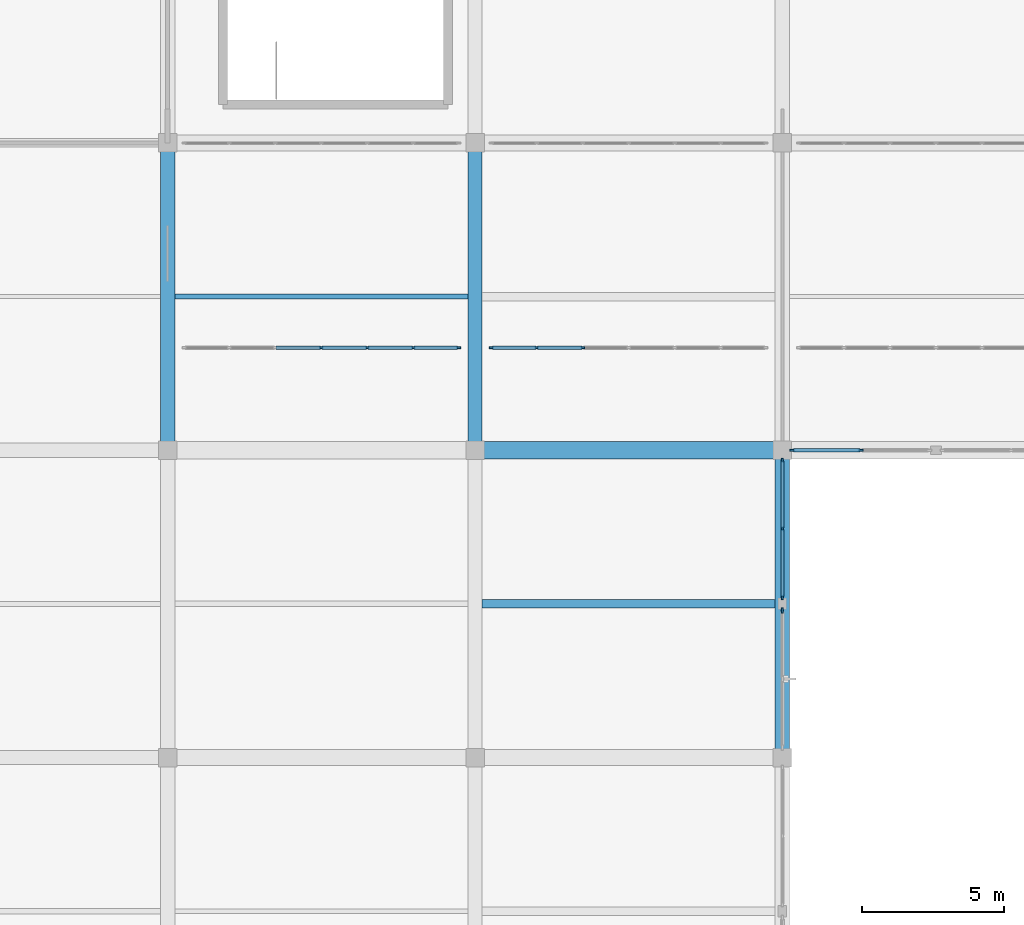
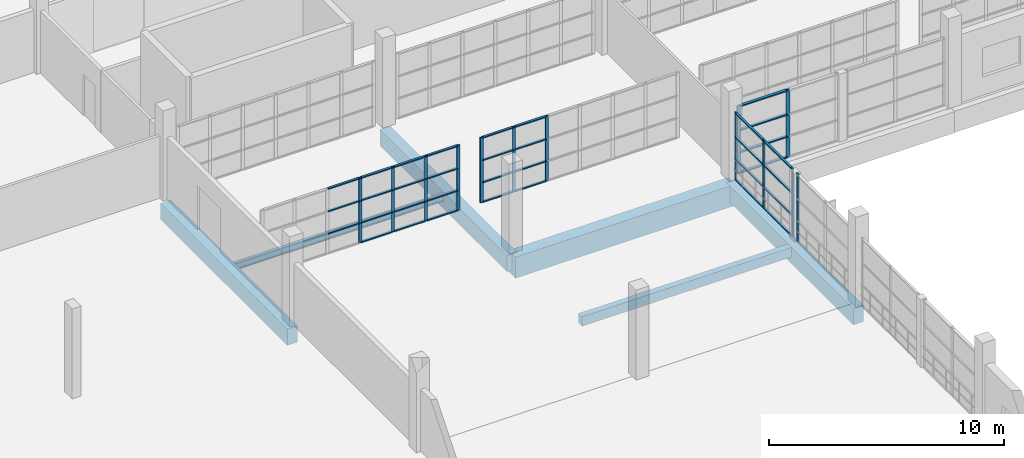
# One storey, part 41 of 142: 48 members, 6 beams, 5 elements without a shape of their own.
"""IFC4 building model written with IfcOpenShell, lengths in metres."""

from ifc_helpers import new_model, si_unit, direction, frame, origin, origin_2d, place, context, subcontext, project, spatial, rectangle, i_section, extrude, material, material_profile, profile_set, type_object, element, aggregate, save


model = new_model("IFC4")

# Units and contexts
model_context = context("Model", 3, precision=1e-05, world=origin(), true_north=direction((0.0, 1.0)))
body_context = subcontext(model_context, "Body", "Model", "MODEL_VIEW")
ifc_project = project(units=[si_unit("LENGTHUNIT", "METRE"), si_unit("AREAUNIT", "SQUARE_METRE"), si_unit("VOLUMEUNIT", "CUBIC_METRE"), si_unit("PLANEANGLEUNIT", "RADIAN"), si_unit("MASSUNIT", "GRAM", prefix="KILO")], contexts=[model_context])

# Site, building, storey
site_placement = place(None, origin())
site = spatial("IfcSite", under=ifc_project, at=site_placement, CompositionType="ELEMENT")
building_placement = place(site_placement, origin())
building = spatial("IfcBuilding", under=site, at=building_placement, Name="Zwinboog Wholesale Market", CompositionType="ELEMENT")
storey_placement = place(building_placement, frame((0.0, 0.0, 5.39990234375)))
storey = spatial("IfcBuildingStorey", under=building, at=storey_placement, Name="L01", CompositionType="ELEMENT", Elevation=5.39990234375)

# Beams
ifc_material_1 = material(Name="Precast concrete C45/55", Category="concrete")
ifc_material_profile_1 = material_profile(ifc_material_1, rectangle(XDim=0.60009765625, YDim=1.10009765625, at=origin_2d()), Name="PC 600x1100")
ifc_profile_set_1 = profile_set([ifc_material_profile_1], Name="Precast concrete C45/55")
beam_type_1 = type_object("IfcBeamType", Name="BT-01", PredefinedType="BEAM", material=ifc_profile_set_1)
beam_1_placement = place(storey_placement, frame((75.60009765625, 86.39990234375, -0.829833984375), z_axis=(1.0, 0.0, 0.0), x_axis=(0.0, 1.0, 0.0)))
element("IfcBeam", 1, at=beam_1_placement, inside=storey, type_object=beam_type_1, Name="BG-01 (BMG-L01-0756-0864-0516)", PredefinedType="BEAM", context=body_context, shape_type="SweptSolid", body=[
    extrude(rectangle(XDim=0.60009765625, YDim=1.10009765625, at=origin_2d()), origin(), (0.0, 0.0, 1.0), 10.7998046875),
])
ifc_material_profile_2 = material_profile(ifc_material_1, rectangle(XDim=0.5, YDim=0.85009765625, at=origin_2d()), Name="PC 500x850")
ifc_profile_set_2 = profile_set([ifc_material_profile_2], Name="Precast concrete C45/55")
beam_type_2 = type_object("IfcBeamType", Name="BT-03", PredefinedType="BEAM", material=ifc_profile_set_2)
for number, where, z_axis, x_axis, name in (
    (2, (64.800048828125, 86.39990234375, -0.7568359375), (0.0, 1.0, 0.0), (-1.0, 0.0, 0.0), "BG-03 (BMG-L01-0648-0864-0669)"),
    (3, (75.60009765625, 86.39990234375, -0.704833984375), (0.0, 1.0, 0.0), (-1.0, 0.0, 0.0), "BG-03 (BMG-L01-0756-0864-0677)"),
):
    element("IfcBeam", number, at=place(storey_placement, frame(where, z_axis=z_axis, x_axis=x_axis)), inside=storey, type_object=beam_type_2, Name=name, PredefinedType="BEAM", context=body_context, shape_type="SweptSolid", body=[
        extrude(rectangle(XDim=0.5, YDim=0.85009765625, at=origin_2d()), origin(), (0.0, 0.0, 1.0), 10.800048828125),
    ])
beam_2_placement = place(storey_placement, frame((86.39990234375, 75.60009765625, -0.704833984375), z_axis=(0.0, 1.0, 0.0), x_axis=(-1.0, 0.0, 0.0)))
element("IfcBeam", 4, at=beam_2_placement, inside=storey, type_object=beam_type_2, Name="BG-03 (BMG-L01-0864-0756-0684)", PredefinedType="BEAM", context=body_context, shape_type="SweptSolid", body=[
    extrude(rectangle(XDim=0.5, YDim=0.85009765625, at=origin_2d()), origin(), (0.0, 0.0, 1.0), 10.7998046875),
])
ifc_material_profile_3 = material_profile(ifc_material_1, rectangle(XDim=0.300048828125, YDim=0.5, at=origin_2d()), Name="PC 300x500")
ifc_profile_set_3 = profile_set([ifc_material_profile_3], Name="Precast concrete C45/55")
beam_type_3 = type_object("IfcBeamType", Name="BT-10", PredefinedType="JOIST", material=ifc_profile_set_3)
beam_3_placement = place(storey_placement, frame((75.85009765625, 81.0, -0.52978515625), z_axis=(1.0, 0.0, 0.0), x_axis=(0.0, 1.0, 0.0)))
element("IfcBeam", 5, at=beam_3_placement, inside=storey, type_object=beam_type_3, Name="BJ-01 (BMG-L01-0758-0810-0825)", PredefinedType="JOIST", context=body_context, shape_type="SweptSolid", body=[
    extrude(rectangle(XDim=0.300048828125, YDim=0.5, at=origin_2d()), origin(), (0.0, 0.0, 1.0), 10.2998046875),
])
ifc_material_2 = material(Name="Steel S355", Category="steel")
ifc_material_profile_4 = material_profile(ifc_material_2, i_section(OverallWidth=0.169921875, OverallDepth=0.360107421875, WebThickness=0.008056640625, FlangeThickness=0.0126953125, FilletRadius=0.01806640625, at=origin_2d()), Name="IPE 360")
ifc_profile_set_4 = profile_set([ifc_material_profile_4], Name="Steel S355")
beam_type_4 = type_object("IfcBeamType", Name="BT-20", PredefinedType="JOIST", material=ifc_profile_set_4)
beam_4_placement = place(storey_placement, frame((65.050048828125, 91.800048828125, -0.511962890625), z_axis=(1.0, 0.0, 0.0), x_axis=(0.0, 1.0, 0.0)))
element("IfcBeam", 6, at=beam_4_placement, inside=storey, type_object=beam_type_4, Name="SJ-03 (BMG-L01-0650-0918-0823)", PredefinedType="JOIST", context=body_context, shape_type="SweptSolid", body=[
    extrude(i_section(OverallWidth=0.169921875, OverallDepth=0.360107421875, WebThickness=0.008056640625, FlangeThickness=0.0126953125, FilletRadius=0.01806640625, at=origin_2d()), origin(), (0.0, 0.0, 1.0), 10.300048828125),
])

# Curtain wall, member
ifc_material_3 = material(Name="Aluminium thermally broken curtain wall", Category="aluminium")
curtain_wall_type_1 = type_object("IfcCurtainWallType", Name="CWT-HALL-24", PredefinedType="USERDEFINED", material=ifc_material_3)
curtain_wall_1_placement = place(storey_placement, origin())
curtain_wall_1 = element("IfcCurtainWall", 7, at=curtain_wall_1_placement, inside=storey, type_object=curtain_wall_type_1, Name="CW-03 (CW-L01-093)", ObjectType="UNITIZED_CURTAIN_WALL", PredefinedType="USERDEFINED")
ifc_material_4 = material(Name="Aluminium EN AW-6060", Category="aluminium")
ifc_material_profile_5 = material_profile(ifc_material_4, rectangle(XDim=0.06494140625, YDim=0.179931640625, at=origin_2d()), Name="AL 65x180")
ifc_profile_set_5 = profile_set([ifc_material_profile_5], Name="Aluminium EN AW-6060")
member_type_1 = type_object("IfcMemberType", Name="CWM-65x180", PredefinedType="MULLION", material=ifc_profile_set_5)
member_1_placement = place(storey_placement, frame((86.39990234375, 80.767578125, 0.0), z_axis=(0.0, 0.0, 1.0), x_axis=(-1.0, 0.0, 0.0)))
member_1 = element("IfcMember", 8, at=member_1_placement, type_object=member_type_1, Name="CW-03 mullion 3", PredefinedType="MULLION", context=body_context, shape_type="SweptSolid", body=[
    extrude(rectangle(XDim=0.06494140625, YDim=0.179931640625, at=origin_2d()), origin(), (0.0, 0.0, 1.0), 3.530029296875),
])
aggregate(curtain_wall_1, [member_1])

# Curtain wall, members
curtain_wall_type_2 = type_object("IfcCurtainWallType", Name="CWT-STALL-18", PredefinedType="USERDEFINED", material=ifc_material_3)
curtain_wall_2_placement = place(storey_placement, origin())
curtain_wall_2 = element("IfcCurtainWall", 9, at=curtain_wall_2_placement, inside=storey, type_object=curtain_wall_type_2, Name="CW-01 (CW-L01-097)", ObjectType="STOREFRONT_GLAZING", PredefinedType="USERDEFINED")
member_2_placement = place(storey_placement, frame((86.75244140625, 86.39990234375, 0.0), z_axis=(0.0, 0.0, 1.0), x_axis=(0.0, 1.0, 0.0)))
member_2 = element("IfcMember", 10, at=member_2_placement, type_object=member_type_1, Name="CW-01 mullion 1", PredefinedType="MULLION", context=body_context, shape_type="SweptSolid", body=[
    extrude(rectangle(XDim=0.06494140625, YDim=0.179931640625, at=origin_2d()), origin(), (0.0, 0.0, 1.0), 3.530029296875),
])
member_3_placement = place(storey_placement, frame((89.159912109375, 86.39990234375, 0.0), z_axis=(0.0, 0.0, 1.0), x_axis=(0.0, 1.0, 0.0)))
member_3 = element("IfcMember", 11, at=member_3_placement, type_object=member_type_1, Name="CW-01 mullion 2", PredefinedType="MULLION", context=body_context, shape_type="SweptSolid", body=[
    extrude(rectangle(XDim=0.06494140625, YDim=0.179931640625, at=origin_2d()), origin(), (0.0, 0.0, 1.0), 3.530029296875),
])

curtain_wall_type_3 = type_object("IfcCurtainWallType", Name="CWT-GAL-16", PredefinedType="USERDEFINED", material=ifc_material_3)
curtain_wall_3_placement = place(storey_placement, origin())
curtain_wall_3 = element("IfcCurtainWall", 12, at=curtain_wall_3_placement, inside=storey, type_object=curtain_wall_type_3, Name="CW-04 (CW-L01-094)", ObjectType="UNITIZED_CURTAIN_WALL", PredefinedType="USERDEFINED")
ifc_material_profile_6 = material_profile(ifc_material_4, rectangle(XDim=0.06005859375, YDim=0.14990234375, at=origin_2d()), Name="AL 60x150")
ifc_profile_set_6 = profile_set([ifc_material_profile_6], Name="Aluminium EN AW-6060")
member_type_2 = type_object("IfcMemberType", Name="CWM-60x150", PredefinedType="MULLION", material=ifc_profile_set_6)
member_4_placement = place(storey_placement, frame((86.39990234375, 81.22998046875, 0.0), z_axis=(0.0, 0.0, 1.0), x_axis=(-1.0, 0.0, 0.0)))
member_4 = element("IfcMember", 13, at=member_4_placement, type_object=member_type_2, Name="CW-04 mullion 1", PredefinedType="MULLION", context=body_context, shape_type="SweptSolid", body=[
    extrude(rectangle(XDim=0.06005859375, YDim=0.14990234375, at=origin_2d()), origin(), (0.0, 0.0, 1.0), 3.530029296875),
])
member_5_placement = place(storey_placement, frame((86.39990234375, 83.639892578125, 0.0), z_axis=(0.0, 0.0, 1.0), x_axis=(-1.0, 0.0, 0.0)))
member_5 = element("IfcMember", 14, at=member_5_placement, type_object=member_type_2, Name="CW-04 mullion 2", PredefinedType="MULLION", context=body_context, shape_type="SweptSolid", body=[
    extrude(rectangle(XDim=0.06005859375, YDim=0.14990234375, at=origin_2d()), origin(), (0.0, 0.0, 1.0), 3.530029296875),
])
member_6_placement = place(storey_placement, frame((86.39990234375, 86.050048828125, 0.0), z_axis=(0.0, 0.0, 1.0), x_axis=(-1.0, 0.0, 0.0)))
member_6 = element("IfcMember", 15, at=member_6_placement, type_object=member_type_2, Name="CW-04 mullion 3", PredefinedType="MULLION", context=body_context, shape_type="SweptSolid", body=[
    extrude(rectangle(XDim=0.06005859375, YDim=0.14990234375, at=origin_2d()), origin(), (0.0, 0.0, 1.0), 3.530029296875),
])

# Member
ifc_material_profile_7 = material_profile(ifc_material_4, rectangle(XDim=0.139892578125, YDim=0.06494140625, at=origin_2d()), Name="AL 65x140")
ifc_profile_set_7 = profile_set([ifc_material_profile_7], Name="Aluminium EN AW-6060")
member_type_3 = type_object("IfcMemberType", Name="CWT-65x140", PredefinedType="USERDEFINED", material=ifc_profile_set_7)
member_7_placement = place(storey_placement, frame((86.784912109375, 86.39990234375, 0.03271484375), z_axis=(1.0, 0.0, 0.0), x_axis=(0.0, 1.0, 0.0)))
member_7 = element("IfcMember", 16, at=member_7_placement, type_object=member_type_3, Name="CW-01 transom 1.1", ObjectType="TRANSOM", PredefinedType="USERDEFINED", context=body_context, shape_type="SweptSolid", body=[
    extrude(rectangle(XDim=0.139892578125, YDim=0.06494140625, at=origin_2d()), origin(), (0.0, 0.0, 1.0), 2.342529296875),
])

member_8_placement = place(storey_placement, frame((86.784912109375, 86.39990234375, 1.10009765625), z_axis=(1.0, 0.0, 0.0), x_axis=(0.0, 1.0, 0.0)))
member_8 = element("IfcMember", 17, at=member_8_placement, type_object=member_type_3, Name="CW-01 transom 1.2", ObjectType="TRANSOM", PredefinedType="USERDEFINED", context=body_context, shape_type="SweptSolid", body=[
    extrude(rectangle(XDim=0.139892578125, YDim=0.06494140625, at=origin_2d()), origin(), (0.0, 0.0, 1.0), 2.342529296875),
])

member_9_placement = place(storey_placement, frame((86.784912109375, 86.39990234375, 2.25), z_axis=(1.0, 0.0, 0.0), x_axis=(0.0, 1.0, 0.0)))
member_9 = element("IfcMember", 18, at=member_9_placement, type_object=member_type_3, Name="CW-01 transom 1.3", ObjectType="TRANSOM", PredefinedType="USERDEFINED", context=body_context, shape_type="SweptSolid", body=[
    extrude(rectangle(XDim=0.139892578125, YDim=0.06494140625, at=origin_2d()), origin(), (0.0, 0.0, 1.0), 2.342529296875),
])

member_10_placement = place(storey_placement, frame((86.784912109375, 86.39990234375, 3.49755859375), z_axis=(1.0, 0.0, 0.0), x_axis=(0.0, 1.0, 0.0)))
member_10 = element("IfcMember", 19, at=member_10_placement, type_object=member_type_3, Name="CW-01 transom 1.4", ObjectType="TRANSOM", PredefinedType="USERDEFINED", context=body_context, shape_type="SweptSolid", body=[
    extrude(rectangle(XDim=0.139892578125, YDim=0.06494140625, at=origin_2d()), origin(), (0.0, 0.0, 1.0), 2.342529296875),
])

aggregate(curtain_wall_2, [member_2, member_3, member_7, member_8, member_9, member_10])

ifc_material_profile_8 = material_profile(ifc_material_4, rectangle(XDim=0.110107421875, YDim=0.06005859375, at=origin_2d()), Name="AL 60x110")
ifc_profile_set_8 = profile_set([ifc_material_profile_8], Name="Aluminium EN AW-6060")
member_type_4 = type_object("IfcMemberType", Name="CWT-60x110", PredefinedType="USERDEFINED", material=ifc_profile_set_8)
member_11_placement = place(storey_placement, frame((86.39990234375, 81.260009765625, 0.030029296875), z_axis=(0.0, 1.0, 0.0), x_axis=(-1.0, 0.0, 0.0)))
member_11 = element("IfcMember", 20, at=member_11_placement, type_object=member_type_4, Name="CW-04 transom 1.1", ObjectType="TRANSOM", PredefinedType="USERDEFINED", context=body_context, shape_type="SweptSolid", body=[
    extrude(rectangle(XDim=0.110107421875, YDim=0.06005859375, at=origin_2d()), origin(), (0.0, 0.0, 1.0), 2.35009765625),
])

member_12_placement = place(storey_placement, frame((86.39990234375, 81.260009765625, 1.10009765625), z_axis=(0.0, 1.0, 0.0), x_axis=(-1.0, 0.0, 0.0)))
member_12 = element("IfcMember", 21, at=member_12_placement, type_object=member_type_4, Name="CW-04 transom 1.2", ObjectType="TRANSOM", PredefinedType="USERDEFINED", context=body_context, shape_type="SweptSolid", body=[
    extrude(rectangle(XDim=0.110107421875, YDim=0.06005859375, at=origin_2d()), origin(), (0.0, 0.0, 1.0), 2.35009765625),
])

member_13_placement = place(storey_placement, frame((86.39990234375, 81.260009765625, 2.25), z_axis=(0.0, 1.0, 0.0), x_axis=(-1.0, 0.0, 0.0)))
member_13 = element("IfcMember", 22, at=member_13_placement, type_object=member_type_4, Name="CW-04 transom 1.3", ObjectType="TRANSOM", PredefinedType="USERDEFINED", context=body_context, shape_type="SweptSolid", body=[
    extrude(rectangle(XDim=0.110107421875, YDim=0.06005859375, at=origin_2d()), origin(), (0.0, 0.0, 1.0), 2.35009765625),
])

member_14_placement = place(storey_placement, frame((86.39990234375, 81.260009765625, 3.5), z_axis=(0.0, 1.0, 0.0), x_axis=(-1.0, 0.0, 0.0)))
member_14 = element("IfcMember", 23, at=member_14_placement, type_object=member_type_4, Name="CW-04 transom 1.4", ObjectType="TRANSOM", PredefinedType="USERDEFINED", context=body_context, shape_type="SweptSolid", body=[
    extrude(rectangle(XDim=0.110107421875, YDim=0.06005859375, at=origin_2d()), origin(), (0.0, 0.0, 1.0), 2.35009765625),
])

member_15_placement = place(storey_placement, frame((86.39990234375, 83.669921875, 0.030029296875), z_axis=(0.0, 1.0, 0.0), x_axis=(-1.0, 0.0, 0.0)))
member_15 = element("IfcMember", 24, at=member_15_placement, type_object=member_type_4, Name="CW-04 transom 2.1", ObjectType="TRANSOM", PredefinedType="USERDEFINED", context=body_context, shape_type="SweptSolid", body=[
    extrude(rectangle(XDim=0.110107421875, YDim=0.06005859375, at=origin_2d()), origin(), (0.0, 0.0, 1.0), 2.35009765625),
])

member_16_placement = place(storey_placement, frame((86.39990234375, 83.669921875, 1.10009765625), z_axis=(0.0, 1.0, 0.0), x_axis=(-1.0, 0.0, 0.0)))
member_16 = element("IfcMember", 25, at=member_16_placement, type_object=member_type_4, Name="CW-04 transom 2.2", ObjectType="TRANSOM", PredefinedType="USERDEFINED", context=body_context, shape_type="SweptSolid", body=[
    extrude(rectangle(XDim=0.110107421875, YDim=0.06005859375, at=origin_2d()), origin(), (0.0, 0.0, 1.0), 2.35009765625),
])

member_17_placement = place(storey_placement, frame((86.39990234375, 83.669921875, 2.25), z_axis=(0.0, 1.0, 0.0), x_axis=(-1.0, 0.0, 0.0)))
member_17 = element("IfcMember", 26, at=member_17_placement, type_object=member_type_4, Name="CW-04 transom 2.3", ObjectType="TRANSOM", PredefinedType="USERDEFINED", context=body_context, shape_type="SweptSolid", body=[
    extrude(rectangle(XDim=0.110107421875, YDim=0.06005859375, at=origin_2d()), origin(), (0.0, 0.0, 1.0), 2.35009765625),
])

member_18_placement = place(storey_placement, frame((86.39990234375, 83.669921875, 3.5), z_axis=(0.0, 1.0, 0.0), x_axis=(-1.0, 0.0, 0.0)))
member_18 = element("IfcMember", 27, at=member_18_placement, type_object=member_type_4, Name="CW-04 transom 2.4", ObjectType="TRANSOM", PredefinedType="USERDEFINED", context=body_context, shape_type="SweptSolid", body=[
    extrude(rectangle(XDim=0.110107421875, YDim=0.06005859375, at=origin_2d()), origin(), (0.0, 0.0, 1.0), 2.35009765625),
])

aggregate(curtain_wall_3, [member_4, member_5, member_6, member_11, member_12, member_13, member_14, member_15, member_16, member_17, member_18])

# Curtain wall, members
curtain_wall_type_4 = type_object("IfcCurtainWallType", Name="CWT-INT-STALL", PredefinedType="USERDEFINED", material=ifc_material_3)
curtain_wall_4_placement = place(storey_placement, origin())
curtain_wall_4 = element("IfcCurtainWall", 28, at=curtain_wall_4_placement, inside=storey, type_object=curtain_wall_type_4, Name="CW-07 (CW-STL-235)", ObjectType="STOREFRONT_GLAZING", PredefinedType="USERDEFINED")
ifc_material_profile_9 = material_profile(ifc_material_4, rectangle(XDim=0.06005859375, YDim=0.14990234375, at=origin_2d()), Name="AL 60x150")
ifc_profile_set_9 = profile_set([ifc_material_profile_9], Name="Aluminium EN AW-6060")
member_type_5 = type_object("IfcMemberType", Name="CWM-INT-60x120", PredefinedType="MULLION", material=ifc_profile_set_9)
member_19_placement = place(storey_placement, frame((70.199951171875, 90.0, 0.0), z_axis=(0.0, 0.0, 1.0), x_axis=(0.0, 1.0, 0.0)))
member_19 = element("IfcMember", 29, at=member_19_placement, type_object=member_type_5, Name="CW-07 mullion 4", PredefinedType="MULLION", context=body_context, shape_type="SweptSolid", body=[
    extrude(rectangle(XDim=0.06005859375, YDim=0.14990234375, at=origin_2d()), origin(), (0.0, 0.0, 1.0), 3.400146484375),
])
member_20_placement = place(storey_placement, frame((71.816650390625, 90.0, 0.0), z_axis=(0.0, 0.0, 1.0), x_axis=(0.0, 1.0, 0.0)))
member_20 = element("IfcMember", 30, at=member_20_placement, type_object=member_type_5, Name="CW-07 mullion 5", PredefinedType="MULLION", context=body_context, shape_type="SweptSolid", body=[
    extrude(rectangle(XDim=0.06005859375, YDim=0.14990234375, at=origin_2d()), origin(), (0.0, 0.0, 1.0), 3.400146484375),
])
member_21_placement = place(storey_placement, frame((73.433349609375, 90.0, 0.0), z_axis=(0.0, 0.0, 1.0), x_axis=(0.0, 1.0, 0.0)))
member_21 = element("IfcMember", 31, at=member_21_placement, type_object=member_type_5, Name="CW-07 mullion 6", PredefinedType="MULLION", context=body_context, shape_type="SweptSolid", body=[
    extrude(rectangle(XDim=0.06005859375, YDim=0.14990234375, at=origin_2d()), origin(), (0.0, 0.0, 1.0), 3.400146484375),
])
member_22_placement = place(storey_placement, frame((75.02001953125, 90.0, 0.0), z_axis=(0.0, 0.0, 1.0), x_axis=(0.0, 1.0, 0.0)))
member_22 = element("IfcMember", 32, at=member_22_placement, type_object=member_type_5, Name="CW-07 mullion 7", PredefinedType="MULLION", context=body_context, shape_type="SweptSolid", body=[
    extrude(rectangle(XDim=0.06005859375, YDim=0.14990234375, at=origin_2d()), origin(), (0.0, 0.0, 1.0), 3.400146484375),
])

curtain_wall_5_placement = place(storey_placement, origin())
curtain_wall_5 = element("IfcCurtainWall", 33, at=curtain_wall_5_placement, inside=storey, type_object=curtain_wall_type_4, Name="CW-07 (CW-STL-236)", ObjectType="STOREFRONT_GLAZING", PredefinedType="USERDEFINED")
member_23_placement = place(storey_placement, frame((76.179931640625, 90.0, 0.0), z_axis=(0.0, 0.0, 1.0), x_axis=(0.0, 1.0, 0.0)))
member_23 = element("IfcMember", 34, at=member_23_placement, type_object=member_type_5, Name="CW-07 mullion 1", PredefinedType="MULLION", context=body_context, shape_type="SweptSolid", body=[
    extrude(rectangle(XDim=0.06005859375, YDim=0.14990234375, at=origin_2d()), origin(), (0.0, 0.0, 1.0), 3.400146484375),
])
member_24_placement = place(storey_placement, frame((77.7666015625, 90.0, 0.0), z_axis=(0.0, 0.0, 1.0), x_axis=(0.0, 1.0, 0.0)))
member_24 = element("IfcMember", 35, at=member_24_placement, type_object=member_type_5, Name="CW-07 mullion 2", PredefinedType="MULLION", context=body_context, shape_type="SweptSolid", body=[
    extrude(rectangle(XDim=0.06005859375, YDim=0.14990234375, at=origin_2d()), origin(), (0.0, 0.0, 1.0), 3.400146484375),
])
member_25_placement = place(storey_placement, frame((79.38330078125, 90.0, 0.0), z_axis=(0.0, 0.0, 1.0), x_axis=(0.0, 1.0, 0.0)))
member_25 = element("IfcMember", 36, at=member_25_placement, type_object=member_type_5, Name="CW-07 mullion 3", PredefinedType="MULLION", context=body_context, shape_type="SweptSolid", body=[
    extrude(rectangle(XDim=0.06005859375, YDim=0.14990234375, at=origin_2d()), origin(), (0.0, 0.0, 1.0), 3.400146484375),
])

# Member
ifc_material_profile_10 = material_profile(ifc_material_4, rectangle(XDim=0.110107421875, YDim=0.06005859375, at=origin_2d()), Name="AL 60x110")
ifc_profile_set_10 = profile_set([ifc_material_profile_10], Name="Aluminium EN AW-6060")
member_type_6 = type_object("IfcMemberType", Name="CWT-INT-60x100", PredefinedType="USERDEFINED", material=ifc_profile_set_10)
member_26_placement = place(storey_placement, frame((68.61328125, 90.0, 1.050048828125), z_axis=(1.0, 0.0, 0.0), x_axis=(0.0, 1.0, 0.0)))
member_26 = element("IfcMember", 37, at=member_26_placement, type_object=member_type_6, Name="CW-07 transom 3.2", ObjectType="TRANSOM", PredefinedType="USERDEFINED", context=body_context, shape_type="SweptSolid", body=[
    extrude(rectangle(XDim=0.110107421875, YDim=0.06005859375, at=origin_2d()), origin(), (0.0, 0.0, 1.0), 1.556640625),
])

member_27_placement = place(storey_placement, frame((68.61328125, 90.0, 2.2001953125), z_axis=(1.0, 0.0, 0.0), x_axis=(0.0, 1.0, 0.0)))
member_27 = element("IfcMember", 38, at=member_27_placement, type_object=member_type_6, Name="CW-07 transom 3.3", ObjectType="TRANSOM", PredefinedType="USERDEFINED", context=body_context, shape_type="SweptSolid", body=[
    extrude(rectangle(XDim=0.110107421875, YDim=0.06005859375, at=origin_2d()), origin(), (0.0, 0.0, 1.0), 1.556640625),
])

member_28_placement = place(storey_placement, frame((68.61328125, 90.0, 3.3701171875), z_axis=(1.0, 0.0, 0.0), x_axis=(0.0, 1.0, 0.0)))
member_28 = element("IfcMember", 39, at=member_28_placement, type_object=member_type_6, Name="CW-07 transom 3.4", ObjectType="TRANSOM", PredefinedType="USERDEFINED", context=body_context, shape_type="SweptSolid", body=[
    extrude(rectangle(XDim=0.110107421875, YDim=0.06005859375, at=origin_2d()), origin(), (0.0, 0.0, 1.0), 1.556640625),
])

member_29_placement = place(storey_placement, frame((70.22998046875, 90.0, 0.030029296875), z_axis=(1.0, 0.0, 0.0), x_axis=(0.0, 1.0, 0.0)))
member_29 = element("IfcMember", 40, at=member_29_placement, type_object=member_type_6, Name="CW-07 transom 4.1", ObjectType="TRANSOM", PredefinedType="USERDEFINED", context=body_context, shape_type="SweptSolid", body=[
    extrude(rectangle(XDim=0.110107421875, YDim=0.06005859375, at=origin_2d()), origin(), (0.0, 0.0, 1.0), 1.556640625),
])

member_30_placement = place(storey_placement, frame((70.22998046875, 90.0, 1.050048828125), z_axis=(1.0, 0.0, 0.0), x_axis=(0.0, 1.0, 0.0)))
member_30 = element("IfcMember", 41, at=member_30_placement, type_object=member_type_6, Name="CW-07 transom 4.2", ObjectType="TRANSOM", PredefinedType="USERDEFINED", context=body_context, shape_type="SweptSolid", body=[
    extrude(rectangle(XDim=0.110107421875, YDim=0.06005859375, at=origin_2d()), origin(), (0.0, 0.0, 1.0), 1.556640625),
])

member_31_placement = place(storey_placement, frame((70.22998046875, 90.0, 2.2001953125), z_axis=(1.0, 0.0, 0.0), x_axis=(0.0, 1.0, 0.0)))
member_31 = element("IfcMember", 42, at=member_31_placement, type_object=member_type_6, Name="CW-07 transom 4.3", ObjectType="TRANSOM", PredefinedType="USERDEFINED", context=body_context, shape_type="SweptSolid", body=[
    extrude(rectangle(XDim=0.110107421875, YDim=0.06005859375, at=origin_2d()), origin(), (0.0, 0.0, 1.0), 1.556640625),
])

member_32_placement = place(storey_placement, frame((70.22998046875, 90.0, 3.3701171875), z_axis=(1.0, 0.0, 0.0), x_axis=(0.0, 1.0, 0.0)))
member_32 = element("IfcMember", 43, at=member_32_placement, type_object=member_type_6, Name="CW-07 transom 4.4", ObjectType="TRANSOM", PredefinedType="USERDEFINED", context=body_context, shape_type="SweptSolid", body=[
    extrude(rectangle(XDim=0.110107421875, YDim=0.06005859375, at=origin_2d()), origin(), (0.0, 0.0, 1.0), 1.556640625),
])

member_33_placement = place(storey_placement, frame((71.8466796875, 90.0, 0.030029296875), z_axis=(1.0, 0.0, 0.0), x_axis=(0.0, 1.0, 0.0)))
member_33 = element("IfcMember", 44, at=member_33_placement, type_object=member_type_6, Name="CW-07 transom 5.1", ObjectType="TRANSOM", PredefinedType="USERDEFINED", context=body_context, shape_type="SweptSolid", body=[
    extrude(rectangle(XDim=0.110107421875, YDim=0.06005859375, at=origin_2d()), origin(), (0.0, 0.0, 1.0), 1.556640625),
])

member_34_placement = place(storey_placement, frame((71.8466796875, 90.0, 1.050048828125), z_axis=(1.0, 0.0, 0.0), x_axis=(0.0, 1.0, 0.0)))
member_34 = element("IfcMember", 45, at=member_34_placement, type_object=member_type_6, Name="CW-07 transom 5.2", ObjectType="TRANSOM", PredefinedType="USERDEFINED", context=body_context, shape_type="SweptSolid", body=[
    extrude(rectangle(XDim=0.110107421875, YDim=0.06005859375, at=origin_2d()), origin(), (0.0, 0.0, 1.0), 1.556640625),
])

member_35_placement = place(storey_placement, frame((71.8466796875, 90.0, 2.2001953125), z_axis=(1.0, 0.0, 0.0), x_axis=(0.0, 1.0, 0.0)))
member_35 = element("IfcMember", 46, at=member_35_placement, type_object=member_type_6, Name="CW-07 transom 5.3", ObjectType="TRANSOM", PredefinedType="USERDEFINED", context=body_context, shape_type="SweptSolid", body=[
    extrude(rectangle(XDim=0.110107421875, YDim=0.06005859375, at=origin_2d()), origin(), (0.0, 0.0, 1.0), 1.556640625),
])

member_36_placement = place(storey_placement, frame((71.8466796875, 90.0, 3.3701171875), z_axis=(1.0, 0.0, 0.0), x_axis=(0.0, 1.0, 0.0)))
member_36 = element("IfcMember", 47, at=member_36_placement, type_object=member_type_6, Name="CW-07 transom 5.4", ObjectType="TRANSOM", PredefinedType="USERDEFINED", context=body_context, shape_type="SweptSolid", body=[
    extrude(rectangle(XDim=0.110107421875, YDim=0.06005859375, at=origin_2d()), origin(), (0.0, 0.0, 1.0), 1.556640625),
])

member_37_placement = place(storey_placement, frame((73.46337890625, 90.0, 0.030029296875), z_axis=(1.0, 0.0, 0.0), x_axis=(0.0, 1.0, 0.0)))
member_37 = element("IfcMember", 48, at=member_37_placement, type_object=member_type_6, Name="CW-07 transom 6.1", ObjectType="TRANSOM", PredefinedType="USERDEFINED", context=body_context, shape_type="SweptSolid", body=[
    extrude(rectangle(XDim=0.110107421875, YDim=0.06005859375, at=origin_2d()), origin(), (0.0, 0.0, 1.0), 1.526611328125),
])

member_38_placement = place(storey_placement, frame((73.46337890625, 90.0, 1.050048828125), z_axis=(1.0, 0.0, 0.0), x_axis=(0.0, 1.0, 0.0)))
member_38 = element("IfcMember", 49, at=member_38_placement, type_object=member_type_6, Name="CW-07 transom 6.2", ObjectType="TRANSOM", PredefinedType="USERDEFINED", context=body_context, shape_type="SweptSolid", body=[
    extrude(rectangle(XDim=0.110107421875, YDim=0.06005859375, at=origin_2d()), origin(), (0.0, 0.0, 1.0), 1.526611328125),
])

member_39_placement = place(storey_placement, frame((73.46337890625, 90.0, 2.2001953125), z_axis=(1.0, 0.0, 0.0), x_axis=(0.0, 1.0, 0.0)))
member_39 = element("IfcMember", 50, at=member_39_placement, type_object=member_type_6, Name="CW-07 transom 6.3", ObjectType="TRANSOM", PredefinedType="USERDEFINED", context=body_context, shape_type="SweptSolid", body=[
    extrude(rectangle(XDim=0.110107421875, YDim=0.06005859375, at=origin_2d()), origin(), (0.0, 0.0, 1.0), 1.526611328125),
])

member_40_placement = place(storey_placement, frame((73.46337890625, 90.0, 3.3701171875), z_axis=(1.0, 0.0, 0.0), x_axis=(0.0, 1.0, 0.0)))
member_40 = element("IfcMember", 51, at=member_40_placement, type_object=member_type_6, Name="CW-07 transom 6.4", ObjectType="TRANSOM", PredefinedType="USERDEFINED", context=body_context, shape_type="SweptSolid", body=[
    extrude(rectangle(XDim=0.110107421875, YDim=0.06005859375, at=origin_2d()), origin(), (0.0, 0.0, 1.0), 1.526611328125),
])

aggregate(curtain_wall_4, [member_19, member_20, member_21, member_22, member_26, member_27, member_28, member_29, member_30, member_31, member_32, member_33, member_34, member_35, member_36, member_37, member_38, member_39, member_40])

member_41_placement = place(storey_placement, frame((76.2099609375, 90.0, 0.030029296875), z_axis=(1.0, 0.0, 0.0), x_axis=(0.0, 1.0, 0.0)))
member_41 = element("IfcMember", 52, at=member_41_placement, type_object=member_type_6, Name="CW-07 transom 1.1", ObjectType="TRANSOM", PredefinedType="USERDEFINED", context=body_context, shape_type="SweptSolid", body=[
    extrude(rectangle(XDim=0.110107421875, YDim=0.06005859375, at=origin_2d()), origin(), (0.0, 0.0, 1.0), 1.526611328125),
])

member_42_placement = place(storey_placement, frame((76.2099609375, 90.0, 1.050048828125), z_axis=(1.0, 0.0, 0.0), x_axis=(0.0, 1.0, 0.0)))
member_42 = element("IfcMember", 53, at=member_42_placement, type_object=member_type_6, Name="CW-07 transom 1.2", ObjectType="TRANSOM", PredefinedType="USERDEFINED", context=body_context, shape_type="SweptSolid", body=[
    extrude(rectangle(XDim=0.110107421875, YDim=0.06005859375, at=origin_2d()), origin(), (0.0, 0.0, 1.0), 1.526611328125),
])

member_43_placement = place(storey_placement, frame((76.2099609375, 90.0, 2.2001953125), z_axis=(1.0, 0.0, 0.0), x_axis=(0.0, 1.0, 0.0)))
member_43 = element("IfcMember", 54, at=member_43_placement, type_object=member_type_6, Name="CW-07 transom 1.3", ObjectType="TRANSOM", PredefinedType="USERDEFINED", context=body_context, shape_type="SweptSolid", body=[
    extrude(rectangle(XDim=0.110107421875, YDim=0.06005859375, at=origin_2d()), origin(), (0.0, 0.0, 1.0), 1.526611328125),
])

member_44_placement = place(storey_placement, frame((76.2099609375, 90.0, 3.3701171875), z_axis=(1.0, 0.0, 0.0), x_axis=(0.0, 1.0, 0.0)))
member_44 = element("IfcMember", 55, at=member_44_placement, type_object=member_type_6, Name="CW-07 transom 1.4", ObjectType="TRANSOM", PredefinedType="USERDEFINED", context=body_context, shape_type="SweptSolid", body=[
    extrude(rectangle(XDim=0.110107421875, YDim=0.06005859375, at=origin_2d()), origin(), (0.0, 0.0, 1.0), 1.526611328125),
])

member_45_placement = place(storey_placement, frame((77.796630859375, 90.0, 0.030029296875), z_axis=(1.0, 0.0, 0.0), x_axis=(0.0, 1.0, 0.0)))
member_45 = element("IfcMember", 56, at=member_45_placement, type_object=member_type_6, Name="CW-07 transom 2.1", ObjectType="TRANSOM", PredefinedType="USERDEFINED", context=body_context, shape_type="SweptSolid", body=[
    extrude(rectangle(XDim=0.110107421875, YDim=0.06005859375, at=origin_2d()), origin(), (0.0, 0.0, 1.0), 1.556640625),
])

member_46_placement = place(storey_placement, frame((77.796630859375, 90.0, 1.050048828125), z_axis=(1.0, 0.0, 0.0), x_axis=(0.0, 1.0, 0.0)))
member_46 = element("IfcMember", 57, at=member_46_placement, type_object=member_type_6, Name="CW-07 transom 2.2", ObjectType="TRANSOM", PredefinedType="USERDEFINED", context=body_context, shape_type="SweptSolid", body=[
    extrude(rectangle(XDim=0.110107421875, YDim=0.06005859375, at=origin_2d()), origin(), (0.0, 0.0, 1.0), 1.556640625),
])

member_47_placement = place(storey_placement, frame((77.796630859375, 90.0, 2.2001953125), z_axis=(1.0, 0.0, 0.0), x_axis=(0.0, 1.0, 0.0)))
member_47 = element("IfcMember", 58, at=member_47_placement, type_object=member_type_6, Name="CW-07 transom 2.3", ObjectType="TRANSOM", PredefinedType="USERDEFINED", context=body_context, shape_type="SweptSolid", body=[
    extrude(rectangle(XDim=0.110107421875, YDim=0.06005859375, at=origin_2d()), origin(), (0.0, 0.0, 1.0), 1.556640625),
])

member_48_placement = place(storey_placement, frame((77.796630859375, 90.0, 3.3701171875), z_axis=(1.0, 0.0, 0.0), x_axis=(0.0, 1.0, 0.0)))
member_48 = element("IfcMember", 59, at=member_48_placement, type_object=member_type_6, Name="CW-07 transom 2.4", ObjectType="TRANSOM", PredefinedType="USERDEFINED", context=body_context, shape_type="SweptSolid", body=[
    extrude(rectangle(XDim=0.110107421875, YDim=0.06005859375, at=origin_2d()), origin(), (0.0, 0.0, 1.0), 1.556640625),
])

aggregate(curtain_wall_5, [member_23, member_24, member_25, member_41, member_42, member_43, member_44, member_45, member_46, member_47, member_48])

save(model, "model.ifc")
